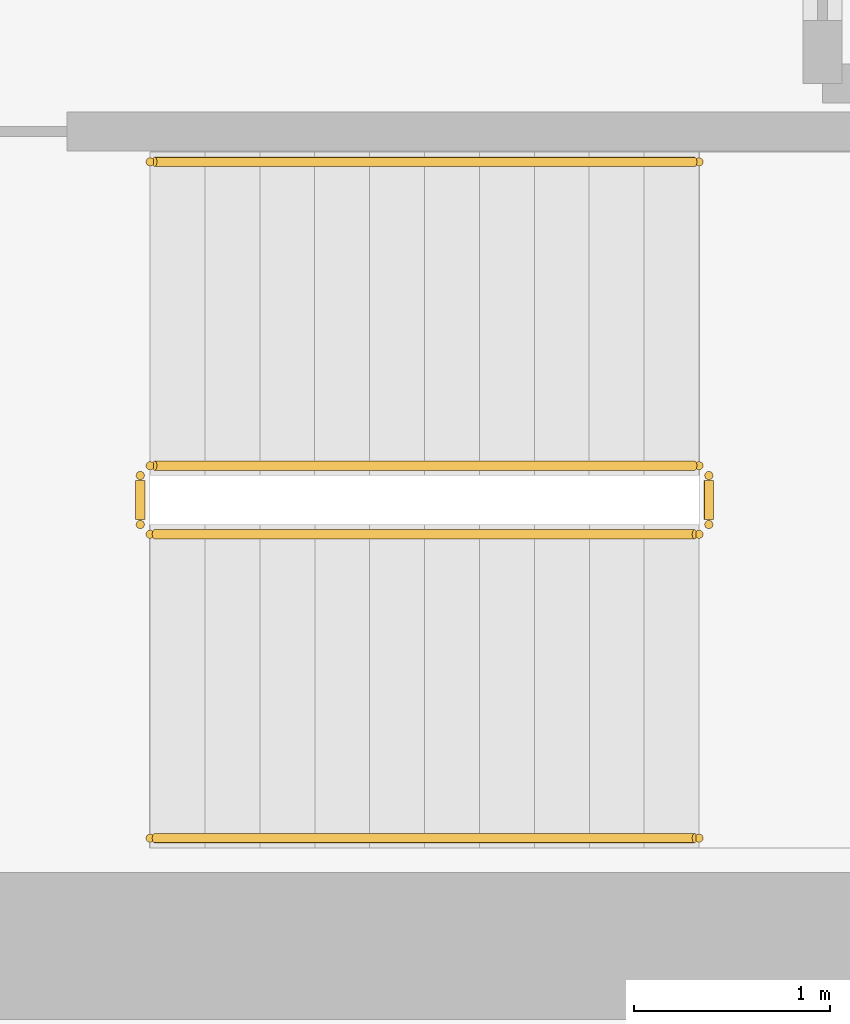
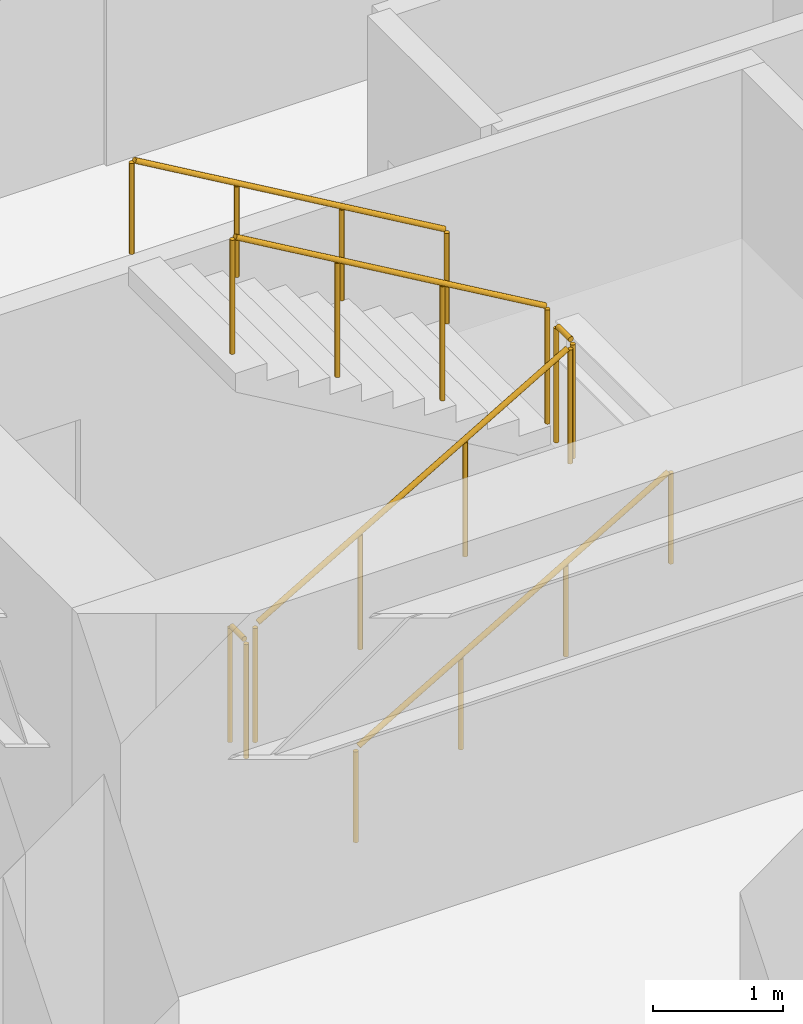
# One storey, part 12 of 12: 6 railings.
"""IFC4 building model written with IfcOpenShell, lengths in metres."""

from ifc_helpers import new_model, si_unit, direction, frame, origin, origin_2d, place, context, subcontext, project, spatial, circle, extrude, source, transform, mapped, material, layer, layer_set, type_object, element, save


model = new_model("IFC4")

# Units and contexts
model_context = context("Model", 3, precision=1e-05, world=origin(), true_north=direction((0.0, 1.0)))
body_context = subcontext(model_context, "Body", "Model", "MODEL_VIEW")
ifc_project = project(units=[si_unit("LENGTHUNIT", "METRE"), si_unit("AREAUNIT", "SQUARE_METRE"), si_unit("VOLUMEUNIT", "CUBIC_METRE"), si_unit("PLANEANGLEUNIT", "RADIAN"), si_unit("MASSUNIT", "GRAM", prefix="KILO")], contexts=[model_context])

# Site, building, storey
site_placement = place(None, origin())
site = spatial("IfcSite", under=ifc_project, at=site_placement, CompositionType="ELEMENT")
building_placement = place(site_placement, origin())
building = spatial("IfcBuilding", under=site, at=building_placement, Name="Kharzan Plaza Tower", CompositionType="ELEMENT")
storey_placement = place(building_placement, frame((0.0, 0.0, 91.800048828125)))
storey = spatial("IfcBuildingStorey", under=building, at=storey_placement, Name="L24", CompositionType="ELEMENT", Elevation=91.800048828125)

# Railings
ifc_material_1 = material(Name="Painted Galvanized Architectural Steel", Category="steel")
ifc_layer_1 = layer(ifc_material_1, 0.074951171875)
ifc_layer_set_1 = layer_set([ifc_layer_1], Name="Painted Galvanized Architectural Steel")
railing_type_1 = type_object("IfcRailingType", Name="RL-GUARD-1120", PredefinedType="BALUSTRADE", material=ifc_layer_set_1)
shared_shape_1 = source(origin(), body_context, "Body", "SweptSolid", [
    extrude(circle(Radius=0.02392578125, at=origin_2d()), frame((0.0, 0.0263671875, 1.09619140625), z_axis=(0.0, 1.0, 0.0), x_axis=(-1.0, 0.0, 0.0)), (0.0, 0.0, 1.0), 0.197021484375),
    extrude(circle(Radius=0.02099609375, at=origin_2d()), origin(), (0.0, 0.0, 1.0), 1.072021484375),
    extrude(circle(Radius=0.02099609375, at=origin_2d()), frame((0.0, 0.25, 0.0)), (0.0, 0.0, 1.0), 1.072021484375),
])
for number, where, name in (
    (1, (41.10009765625, 6.64990234375, 1.800048828125), "L24 ST-3 stair guard 2"),
    (2, (38.199951171875, 6.64990234375, 0.0), "L24 ST-3 stair guard 4"),
):
    element("IfcRailing", number, at=place(storey_placement, frame(where)), inside=storey, type_object=railing_type_1, Name=name, PredefinedType="BALUSTRADE", context=body_context, shape_type="MappedRepresentation", body=[
        mapped(shared_shape_1, transform((0.0, 0.0, 0.0), x_axis=(1.0, 0.0, 0.0), y_axis=(0.0, 1.0, 0.0), z_axis=(0.0, 0.0, 1.0))),
    ])
shared_shape_2 = source(origin(), body_context, "Body", "SweptSolid", [
    extrude(circle(Radius=0.02392578125, at=origin_2d()), frame((0.02294921875, 0.0, 1.109375), z_axis=(0.863360870873, 0.0, 0.504586966384), x_axis=(0.0, 1.0, 0.0)), (0.0, 0.0, 1.0), 3.190185546875),
    extrude(circle(Radius=0.02099609375, at=origin_2d()), origin(), (0.0, 0.0, 1.0), 1.072021484375),
    extrude(circle(Radius=0.02099609375, at=origin_2d()), frame((0.933349609375, 0.0, 0.54541015625)), (0.0, 0.0, 1.0), 1.072021484375),
    extrude(circle(Radius=0.02099609375, at=origin_2d()), frame((1.86669921875, 0.0, 1.091064453125)), (0.0, 0.0, 1.0), 1.072021484375),
    extrude(circle(Radius=0.02099609375, at=origin_2d()), frame((2.800048828125, 0.0, 1.636474609375)), (0.0, 0.0, 1.0), 1.072021484375),
])
railing_1_placement = place(storey_placement, frame((38.25, 6.60009765625, 0.16357421875)))
element("IfcRailing", 3, at=railing_1_placement, inside=storey, type_object=railing_type_1, Name="L24 ST-3 stair guard 1", PredefinedType="BALUSTRADE", context=body_context, shape_type="MappedRepresentation", body=[
    mapped(shared_shape_2, transform((0.0, 0.0, 0.0), x_axis=(1.0, 0.0, 0.0), y_axis=(0.0, 1.0, 0.0), z_axis=(0.0, 0.0, 1.0))),
])
ifc_material_2 = material(Name="Brushed Stainless Steel", Category="steel")
ifc_layer_2 = layer(ifc_material_2, 0.050048828125)
ifc_layer_set_2 = layer_set([ifc_layer_2], Name="Brushed Stainless Steel")
railing_type_2 = type_object("IfcRailingType", Name="RL-STAIR-HR920", PredefinedType="HANDRAIL", material=ifc_layer_set_2)
shared_shape_3 = source(origin(), body_context, "Body", "SweptSolid", [
    extrude(circle(Radius=0.02392578125, at=origin_2d()), frame((0.02294921875, 0.0, 0.88916015625), z_axis=(0.863360870873, 0.0, 0.504586966384), x_axis=(0.0, 1.0, 0.0)), (0.0, 0.0, 1.0), 3.190185546875),
    extrude(circle(Radius=0.02099609375, at=origin_2d()), origin(), (0.0, 0.0, 1.0), 0.851806640625),
    extrude(circle(Radius=0.02099609375, at=origin_2d()), frame((0.933349609375, 0.0, 0.54541015625)), (0.0, 0.0, 1.0), 0.851806640625),
    extrude(circle(Radius=0.02099609375, at=origin_2d()), frame((1.86669921875, 0.0, 1.091064453125)), (0.0, 0.0, 1.0), 0.851806640625),
    extrude(circle(Radius=0.02099609375, at=origin_2d()), frame((2.800048828125, 0.0, 1.636474609375)), (0.0, 0.0, 1.0), 0.851806640625),
])
railing_2_placement = place(storey_placement, frame((38.25, 5.050048828125, 0.16357421875)))
element("IfcRailing", 4, at=railing_2_placement, inside=storey, type_object=railing_type_2, Name="L24 ST-3 stair handrail 1", PredefinedType="HANDRAIL", context=body_context, shape_type="MappedRepresentation", body=[
    mapped(shared_shape_3, transform((0.0, 0.0, 0.0), x_axis=(1.0, 0.0, 0.0), y_axis=(0.0, 1.0, 0.0), z_axis=(0.0, 0.0, 1.0))),
])
shared_shape_4 = source(origin(), body_context, "Body", "SweptSolid", [
    extrude(circle(Radius=0.02392578125, at=origin_2d()), frame((-0.02294921875, 0.0, 1.109375), z_axis=(-0.863393664356, 0.0, 0.504530851732), x_axis=(0.0, -1.0, 0.0)), (0.0, 0.0, 1.0), 3.190185546875),
    extrude(circle(Radius=0.02099609375, at=origin_2d()), origin(), (0.0, 0.0, 1.0), 1.072021484375),
    extrude(circle(Radius=0.02099609375, at=origin_2d()), frame((-0.933349609375, 0.0, 0.54541015625)), (0.0, 0.0, 1.0), 1.072021484375),
    extrude(circle(Radius=0.02099609375, at=origin_2d()), frame((-1.86669921875, 0.0, 1.0908203125)), (0.0, 0.0, 1.0), 1.072021484375),
    extrude(circle(Radius=0.02099609375, at=origin_2d()), frame((-2.800048828125, 0.0, 1.63623046875)), (0.0, 0.0, 1.0), 1.072021484375),
])
railing_3_placement = place(storey_placement, frame((41.050048828125, 6.949951171875, 1.963623046875)))
element("IfcRailing", 5, at=railing_3_placement, inside=storey, type_object=railing_type_1, Name="L24 ST-3 stair guard 3", PredefinedType="BALUSTRADE", context=body_context, shape_type="MappedRepresentation", body=[
    mapped(shared_shape_4, transform((0.0, 0.0, 0.0), x_axis=(1.0, 0.0, 0.0), y_axis=(0.0, 1.0, 0.0), z_axis=(0.0, 0.0, 1.0))),
])
shared_shape_5 = source(origin(), body_context, "Body", "SweptSolid", [
    extrude(circle(Radius=0.02392578125, at=origin_2d()), frame((-0.02294921875, 0.0, 0.88916015625), z_axis=(-0.863393664356, 0.0, 0.504530851732), x_axis=(0.0, -1.0, 0.0)), (0.0, 0.0, 1.0), 3.190185546875),
    extrude(circle(Radius=0.02099609375, at=origin_2d()), origin(), (0.0, 0.0, 1.0), 0.851806640625),
    extrude(circle(Radius=0.02099609375, at=origin_2d()), frame((-0.933349609375, 0.0, 0.54541015625)), (0.0, 0.0, 1.0), 0.851806640625),
    extrude(circle(Radius=0.02099609375, at=origin_2d()), frame((-1.86669921875, 0.0, 1.0908203125)), (0.0, 0.0, 1.0), 0.851806640625),
    extrude(circle(Radius=0.02099609375, at=origin_2d()), frame((-2.800048828125, 0.0, 1.63623046875)), (0.0, 0.0, 1.0), 0.851806640625),
])
railing_4_placement = place(storey_placement, frame((41.050048828125, 8.5, 1.963623046875)))
element("IfcRailing", 6, at=railing_4_placement, inside=storey, type_object=railing_type_2, Name="L24 ST-3 stair handrail 2", PredefinedType="HANDRAIL", context=body_context, shape_type="MappedRepresentation", body=[
    mapped(shared_shape_5, transform((0.0, 0.0, 0.0), x_axis=(1.0, 0.0, 0.0), y_axis=(0.0, 1.0, 0.0), z_axis=(0.0, 0.0, 1.0))),
])

save(model, "model.ifc")
